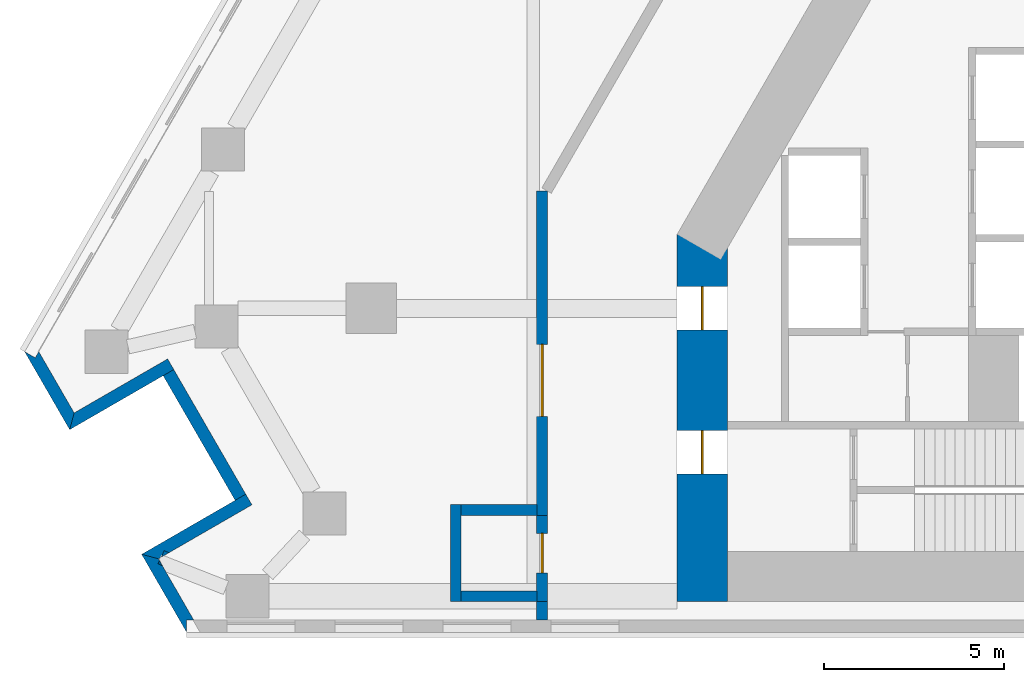
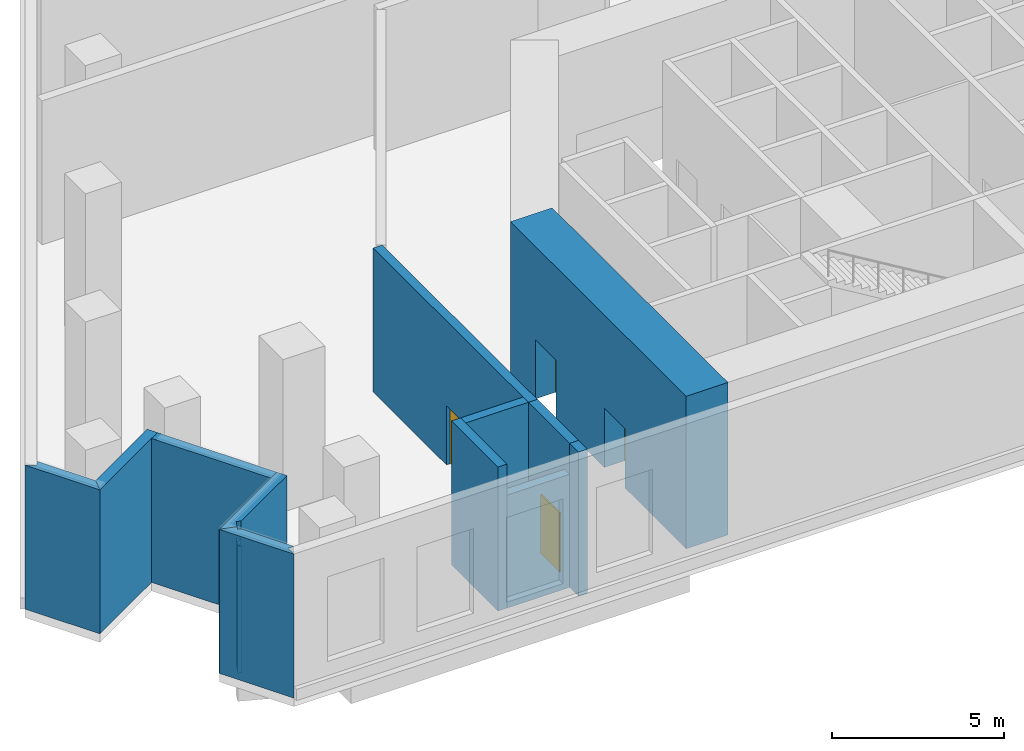
# One storey, part 3 of 10: 14 walls, 4 doors, 4 openings.
"""IFC4 building model written with IfcOpenShell, lengths in metres."""

from ifc_helpers import new_model, si_unit, direction, frame, frame_2d, origin, place, context, subcontext, project, spatial, polyline, rectangle, outline, extrude, material, layer, layer_set, type_object, element, fill, save


model = new_model("IFC4")

# Units and contexts
model_context = context("Model", 3, precision=1e-05, world=origin(), true_north=direction((0.0, 1.0)))
body_context = subcontext(model_context, "Body", "Model", "MODEL_VIEW")
ifc_project = project(units=[si_unit("LENGTHUNIT", "METRE"), si_unit("AREAUNIT", "SQUARE_METRE"), si_unit("VOLUMEUNIT", "CUBIC_METRE"), si_unit("PLANEANGLEUNIT", "RADIAN"), si_unit("MASSUNIT", "GRAM", prefix="KILO")], contexts=[model_context])

# Site, building, storey
site_placement = place(None, origin())
site = spatial("IfcSite", under=ifc_project, at=site_placement, CompositionType="ELEMENT")
building_placement = place(site_placement, origin())
building = spatial("IfcBuilding", under=site, at=building_placement, Name="Fogline Exchange Tower", CompositionType="ELEMENT")
storey_placement = place(building_placement, frame((0.0, 0.0, 47.5)))
storey = spatial("IfcBuildingStorey", under=building, at=storey_placement, Name="L09", CompositionType="ELEMENT", Elevation=47.5)

# Walls
ifc_material_1 = material(Name="Brick masonry", Category="masonry")
ifc_layer_1 = layer(ifc_material_1, 0.340087890625)
ifc_layer_set_1 = layer_set([ifc_layer_1], Name="FW3")
wall_type_1 = type_object("IfcWallType", Name="FW3", PredefinedType="SOLIDWALL", material=ifc_layer_set_1)
wall_1_placement = place(storey_placement, origin())
element("IfcWall", 1, at=wall_1_placement, inside=storey, type_object=wall_type_1, Name="Brick wall L09 SW-c1", PredefinedType="SOLIDWALL", context=body_context, shape_type="SweptSolid", body=[
    extrude(outline(polyline([(-30.877685546875, 5.6279296875), (-32.128662109375, 7.794921875), (-32.128173828125, 7.79541015625), (-31.83349609375, 7.625), (-31.735107421875, 7.79541015625), (-30.75244140625, 6.09375), (-30.877197265625, 5.6279296875), (-30.877685546875, 5.6279296875)])), origin(), (0.0, 0.0, 1.0), 5.10009765625),
])
wall_2_placement = place(storey_placement, origin())
element("IfcWall", 2, at=wall_2_placement, inside=storey, type_object=wall_type_1, Name="Brick wall L09 SW-s1", PredefinedType="SOLIDWALL", context=body_context, shape_type="SweptSolid", body=[
    extrude(outline(polyline([(-28.15478515625, 7.594482421875), (-27.984375, 7.298828125), (-28.279296875, 7.128662109375), (-30.878173828125, 5.628173828125), (-30.87841796875, 5.62841796875), (-30.753662109375, 6.093994140625), (-28.15478515625, 7.594482421875)])), origin(), (0.0, 0.0, 1.0), 5.10009765625),
])
wall_3_placement = place(storey_placement, frame((-28.13232421875, 7.214111328125, 0.0), z_axis=(0.0, 0.0, 1.0), x_axis=(0.49999894854, -0.866026010844, 0.0)))
element("IfcWall", 3, at=wall_3_placement, inside=storey, type_object=wall_type_1, Name="Brick wall L09 SW-bk", PredefinedType="SOLIDWALL", context=body_context, shape_type="SweptSolid", body=[
    extrude(rectangle(XDim=4.0, YDim=0.340087890625, at=frame_2d((2.0, 0.0))), origin(), (0.0, 0.0, 1.0), 5.10009765625),
])
wall_4_placement = place(storey_placement, origin())
element("IfcWall", 4, at=wall_4_placement, inside=storey, type_object=wall_type_1, Name="Brick wall L09 SW-s2", PredefinedType="SOLIDWALL", context=body_context, shape_type="SweptSolid", body=[
    extrude(outline(polyline([(-28.334228515625, 2.08544921875), (-28.25146484375, 2.2685546875), (-28.1201171875, 2.209228515625), (-28.334228515625, 2.08544921875)])), origin(), (0.0, 0.0, 1.0), 4.5),
])
wall_5_placement = place(storey_placement, origin())
element("IfcWall", 5, at=wall_5_placement, inside=storey, type_object=wall_type_1, Name="Brick wall L09 SW-s2", PredefinedType="SOLIDWALL", context=body_context, shape_type="SweptSolid", body=[
    extrude(outline(polyline([(-26.27978515625, 3.66552734375), (-25.98486328125, 3.8359375), (-25.814208984375, 3.540283203125), (-28.1201171875, 2.209228515625), (-28.25146484375, 2.2685546875), (-28.334228515625, 2.08544921875), (-28.4130859375, 2.0400390625), (-28.878662109375, 2.164794921875), (-28.87890625, 2.1650390625), (-26.27978515625, 3.66552734375)])), origin(), (0.0, 0.0, 1.0), 5.10009765625),
])
wall_6_placement = place(storey_placement, origin())
element("IfcWall", 6, at=wall_6_placement, inside=storey, type_object=wall_type_1, Name="Brick wall L09 SW-c2", PredefinedType="SOLIDWALL", context=body_context, shape_type="SweptSolid", body=[
    extrude(outline(polyline([(-28.304443359375, 1.853515625), (-28.416259765625, 1.904296875), (-28.380126953125, 1.984375), (-28.304443359375, 1.853515625)])), origin(), (0.0, 0.0, 1.0), 4.5),
])
wall_7_placement = place(storey_placement, origin())
element("IfcWall", 7, at=wall_7_placement, inside=storey, type_object=wall_type_1, Name="Brick wall L09 SW-c2", PredefinedType="SOLIDWALL", context=body_context, shape_type="SweptSolid", body=[
    extrude(outline(polyline([(-27.626953125, 0.33935546875), (-27.626953125, -0.0009765625), (-27.627685546875, -0.001220703125), (-28.878662109375, 2.165771484375), (-28.87841796875, 2.166015625), (-28.412841796875, 2.041015625), (-28.380126953125, 1.984375), (-28.416259765625, 1.904296875), (-28.304443359375, 1.853515625), (-27.43017578125, 0.33935546875), (-27.626953125, 0.33935546875)])), origin(), (0.0, 0.0, 1.0), 5.10009765625),
])

# Wall, opening, door
ifc_material_2 = material(Name="Concrete C40", Category="concrete")
ifc_layer_2 = layer(ifc_material_2, 0.300048828125)
ifc_layer_set_2 = layer_set([ifc_layer_2], Name="PP4")
wall_type_2 = type_object("IfcWallType", Name="PP4", PredefinedType="SOLIDWALL", material=ifc_layer_set_2)
wall_8_placement = place(storey_placement, frame((-17.75, 3.25, 0.0), z_axis=(0.0, 0.0, 1.0), x_axis=(0.0, 1.0, 0.0)))
wall_8 = element("IfcWall", 8, at=wall_8_placement, inside=storey, type_object=wall_type_2, Name="PP4 partition", PredefinedType="SOLIDWALL", context=body_context, shape_type="SweptSolid", body=[
    extrude(rectangle(XDim=9.006591796875, YDim=0.300048828125, at=frame_2d((4.50341796875, 0.0))), origin(), (0.0, 0.0, 1.0), 5.10009765625),
])
opening_1_placement = place(wall_8_placement, frame((2.75, 0.0, 0.0)))
opening_1 = element("IfcOpeningElement", 9, at=opening_1_placement, cuts=wall_8, Name="Opening L09-D011", PredefinedType="OPENING", context=body_context, shape_type="SweptSolid", body=[
    extrude(rectangle(XDim=2.0, YDim=2.10009765625, at=frame_2d((1.0, 1.050048828125))), frame((0.0, 0.16015625, 0.0), z_axis=(0.0, -1.0, 0.0), x_axis=(1.0, 0.0, 0.0)), (0.0, 0.0, 1.0), 0.320068359375),
])
ifc_material_3 = material(Name="Steel Q235B", Category="steel")
door_type_1 = type_object("IfcDoorType", Name="PD6", OperationType="DOUBLE_DOOR_SINGLE_SWING", PredefinedType="DOOR", material=ifc_material_3)
door_1_placement = place(opening_1_placement, frame((2.0, 0.0, 0.0), z_axis=(0.0, 0.0, 1.0), x_axis=(-1.0, 0.0, 0.0)))
door_1 = element("IfcDoor", 10, at=door_1_placement, inside=storey, type_object=door_type_1, Name="L09-D011", OperationType="DOUBLE_DOOR_SINGLE_SWING", OverallHeight=2.10009765625, OverallWidth=2.0, PredefinedType="DOOR", context=body_context, shape_type="SweptSolid", body=[
    extrude(rectangle(XDim=2.0, YDim=2.10009765625, at=frame_2d((1.0, 1.050048828125))), frame((0.0, 0.02490234375, 0.0), z_axis=(0.0, -1.0, 0.0), x_axis=(1.0, 0.0, 0.0)), (0.0, 0.0, 1.0), 0.050048828125),
])
fill(opening_1, door_1)

# Wall
wall_9_placement = place(storey_placement, frame((-20.14990234375, 0.85009765625, 0.0), z_axis=(0.0, 0.0, 1.0), x_axis=(0.0, 1.0, 0.0)))
element("IfcWall", 11, at=wall_9_placement, inside=storey, type_object=wall_type_2, Name="PP4 partition", PredefinedType="SOLIDWALL", context=body_context, shape_type="SweptSolid", body=[
    extrude(rectangle(XDim=2.699951171875, YDim=0.300048828125, at=frame_2d((1.35009765625, 0.0))), origin(), (0.0, 0.0, 1.0), 5.10009765625),
])

# Wall, opening, door
wall_10_placement = place(storey_placement, frame((-17.75, 0.85009765625, 0.0), z_axis=(0.0, 0.0, 1.0), x_axis=(0.0, 1.0, 0.0)))
wall_10 = element("IfcWall", 12, at=wall_10_placement, inside=storey, type_object=wall_type_2, Name="PP4 partition", PredefinedType="SOLIDWALL", context=body_context, shape_type="SweptSolid", body=[
    extrude(rectangle(XDim=2.39990234375, YDim=0.300048828125, at=frame_2d((1.199951171875, 0.0))), origin(), (0.0, 0.0, 1.0), 5.10009765625),
])
opening_2_placement = place(wall_10_placement, frame((0.800048828125, 0.0, 0.0)))
opening_2 = element("IfcOpeningElement", 13, at=opening_2_placement, cuts=wall_10, Name="Opening L09-D001", PredefinedType="OPENING", context=body_context, shape_type="SweptSolid", body=[
    extrude(rectangle(XDim=1.10009765625, YDim=2.10009765625, at=frame_2d((0.550048828125, 1.050048828125))), frame((0.0, 0.16015625, 0.0), z_axis=(0.0, -1.0, 0.0), x_axis=(1.0, 0.0, 0.0)), (0.0, 0.0, 1.0), 0.320068359375),
])
door_type_2 = type_object("IfcDoorType", Name="PD5", OperationType="SINGLE_SWING_LEFT", PredefinedType="DOOR", material=ifc_material_3)
door_2_placement = place(opening_2_placement, origin())
door_2 = element("IfcDoor", 14, at=door_2_placement, inside=storey, type_object=door_type_2, Name="L09-D001", OperationType="SINGLE_SWING_RIGHT", OverallHeight=2.10009765625, OverallWidth=1.10009765625, PredefinedType="DOOR", context=body_context, shape_type="SweptSolid", body=[
    extrude(rectangle(XDim=1.10009765625, YDim=2.10009765625, at=frame_2d((0.550048828125, 1.050048828125))), frame((0.0, 0.02490234375, 0.0), z_axis=(0.0, -1.0, 0.0), x_axis=(1.0, 0.0, 0.0)), (0.0, 0.0, 1.0), 0.050048828125),
])
fill(opening_2, door_2)

# Walls
wall_11_placement = place(storey_placement, frame((-17.89990234375, 1.0, 0.0), z_axis=(0.0, 0.0, 1.0), x_axis=(-1.0, 0.0, 0.0)))
element("IfcWall", 15, at=wall_11_placement, inside=storey, type_object=wall_type_2, Name="PP4 partition", PredefinedType="SOLIDWALL", context=body_context, shape_type="SweptSolid", body=[
    extrude(rectangle(XDim=2.10009765625, YDim=0.300048828125, at=frame_2d((1.050048828125, 0.0))), origin(), (0.0, 0.0, 1.0), 4.0),
])
wall_12_placement = place(storey_placement, frame((-20.0, 3.39990234375, 0.0), z_axis=(0.0, 0.0, 1.0), x_axis=(1.0, 0.0, 0.0)))
element("IfcWall", 16, at=wall_12_placement, inside=storey, type_object=wall_type_2, Name="PP4 partition", PredefinedType="SOLIDWALL", context=body_context, shape_type="SweptSolid", body=[
    extrude(rectangle(XDim=2.10009765625, YDim=0.300048828125, at=frame_2d((1.050048828125, 0.0))), origin(), (0.0, 0.0, 1.0), 5.10009765625),
])
wall_13_placement = place(storey_placement, frame((-17.75, 0.340087890625, 0.0), z_axis=(0.0, 0.0, 1.0), x_axis=(0.0, 1.0, 0.0)))
element("IfcWall", 17, at=wall_13_placement, inside=storey, type_object=wall_type_2, Name="PP4 partition", PredefinedType="SOLIDWALL", context=body_context, shape_type="SweptSolid", body=[
    extrude(rectangle(XDim=0.510009765625, YDim=0.300048828125, at=frame_2d((0.2548828125, 0.0))), origin(), (0.0, 0.0, 1.0), 5.10009765625),
])

# Wall, openings, doors
ifc_material_4 = material(Name="Concrete C60", Category="concrete")
ifc_layer_3 = layer(ifc_material_4, 1.39990234375)
ifc_layer_set_3 = layer_set([ifc_layer_3], Name="SW01")
wall_type_3 = type_object("IfcWallType", Name="SW01", PredefinedType="SHEAR", material=ifc_layer_set_3)
wall_14_placement = place(storey_placement, frame((-13.300048828125, 11.052490234375, 0.0), z_axis=(0.0, 0.0, 1.0), x_axis=(0.0, -1.0, 0.0)))
wall_14 = element("IfcWall", 18, at=wall_14_placement, inside=storey, type_object=wall_type_3, Name="L09-W906", PredefinedType="SHEAR", context=body_context, shape_type="SweptSolid", body=[
    extrude(rectangle(XDim=10.202392578125, YDim=1.39990234375, at=frame_2d((5.10107421875, 0.0))), origin(), (0.0, 0.0, 1.0), 5.39990234375),
])
opening_3_placement = place(wall_14_placement, frame((5.45263671875, 0.0, 0.0)))
opening_3 = element("IfcOpeningElement", 19, at=opening_3_placement, cuts=wall_14, Name="Opening L09-C009", PredefinedType="OPENING", context=body_context, shape_type="SweptSolid", body=[
    extrude(rectangle(XDim=1.199951171875, YDim=2.10009765625, at=frame_2d((0.60009765625, 1.050048828125))), frame((0.0, 0.7099609375, 0.0), z_axis=(0.0, -1.0, 0.0), x_axis=(1.0, 0.0, 0.0)), (0.0, 0.0, 1.0), 1.419921875),
])
opening_4_placement = place(wall_14_placement, frame((1.45263671875, 0.0, 0.0)))
opening_4 = element("IfcOpeningElement", 20, at=opening_4_placement, cuts=wall_14, Name="Opening L09-C011", PredefinedType="OPENING", context=body_context, shape_type="SweptSolid", body=[
    extrude(rectangle(XDim=1.199951171875, YDim=2.10009765625, at=frame_2d((0.60009765625, 1.050048828125))), frame((0.0, 0.7099609375, 0.0), z_axis=(0.0, -1.0, 0.0), x_axis=(1.0, 0.0, 0.0)), (0.0, 0.0, 1.0), 1.419921875),
])
ifc_material_5 = material(Name="Steel and timber fire door", Category="steel")
door_type_3 = type_object("IfcDoorType", Name="D-FR1", OperationType="SINGLE_SWING_RIGHT", PredefinedType="DOOR", material=ifc_material_5)
door_3_placement = place(opening_3_placement, origin())
door_3 = element("IfcDoor", 21, at=door_3_placement, inside=storey, type_object=door_type_3, Name="Front room door ST1", OperationType="SINGLE_SWING_LEFT", OverallHeight=2.10009765625, OverallWidth=1.199951171875, PredefinedType="DOOR", context=body_context, shape_type="SweptSolid", body=[
    extrude(rectangle(XDim=1.199951171875, YDim=2.10009765625, at=frame_2d((0.60009765625, 1.050048828125))), frame((0.0, 0.02490234375, 0.0), z_axis=(0.0, -1.0, 0.0), x_axis=(1.0, 0.0, 0.0)), (0.0, 0.0, 1.0), 0.050048828125),
])
fill(opening_3, door_3)
door_type_4 = type_object("IfcDoorType", Name="D-SV1", OperationType="SINGLE_SWING_LEFT", PredefinedType="DOOR", material=ifc_material_5)
door_4_placement = place(opening_4_placement, origin())
door_4 = element("IfcDoor", 22, at=door_4_placement, inside=storey, type_object=door_type_4, Name="Service door W", OperationType="SINGLE_SWING_LEFT", OverallHeight=2.10009765625, OverallWidth=1.199951171875, PredefinedType="DOOR", context=body_context, shape_type="SweptSolid", body=[
    extrude(rectangle(XDim=1.199951171875, YDim=2.10009765625, at=frame_2d((0.60009765625, 1.050048828125))), frame((0.0, 0.02490234375, 0.0), z_axis=(0.0, -1.0, 0.0), x_axis=(1.0, 0.0, 0.0)), (0.0, 0.0, 1.0), 0.050048828125),
])
fill(opening_4, door_4)

save(model, "model.ifc")
